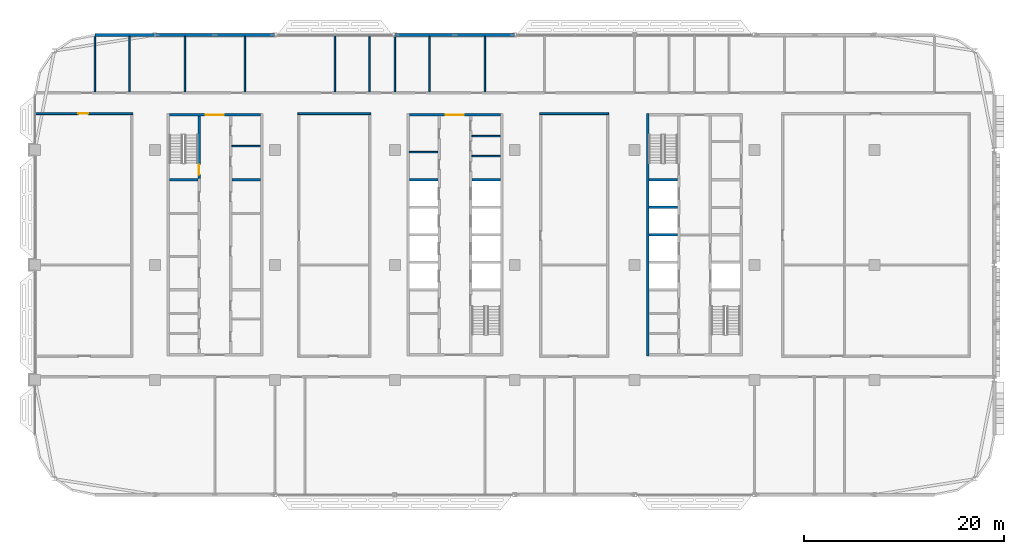
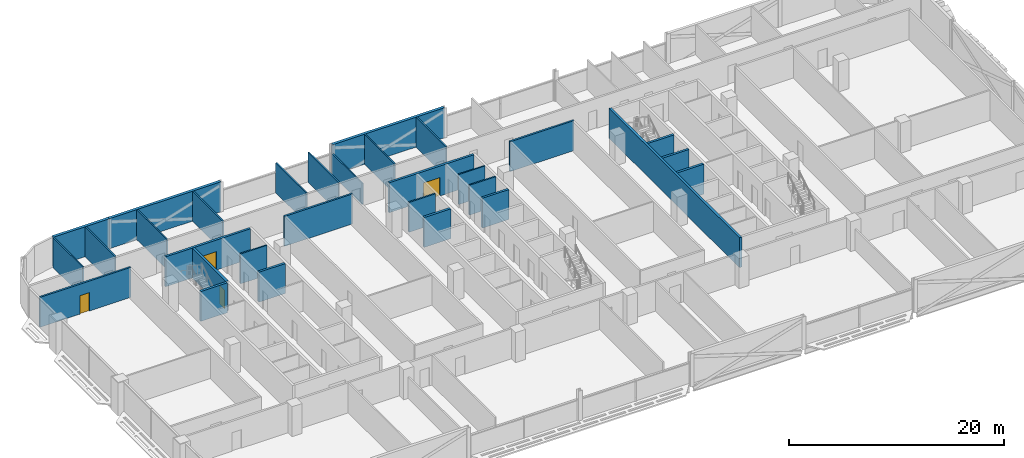
# One storey, part 15 of 30: 30 walls, 4 doors, 4 openings.
"""IFC4 building model written with IfcOpenShell, lengths in metres."""

import ifcopenshell
import ifcopenshell.guid

model = None  # the IFC model being written
_history = None  # IfcOwnerHistory: only IFC2X3 demands one
_inside = {}  # id of a spatial element -> (the spatial element, [elements in it])
_under = {}  # id of a project, library or spatial element -> (it, [spatial elements below it])
_declared = {}  # id of a project -> (the project, [libraries it declares])
_typed = {}  # id of a type object -> (the type object, [elements of that type])
_made_of = {}  # id of a material, layer set ... -> (it, [elements and type objects made of it])


def new_model(schema):
    """Start an empty IFC model of exactly this schema.

    Asked for "IFC4X3", IfcOpenShell would pick the latest addendum, in which some entities
    have other attributes; the version numbers below select the first issue.
    IFC2X3 requires an IfcOwnerHistory on every rooted entity: one is made here for all.
    """
    global model, _history
    if schema == "IFC4X3":
        model = ifcopenshell.file(schema_version=(4, 3, 0, 0))
    else:
        model = ifcopenshell.file(schema=schema)
    _inside.clear()
    _under.clear()
    _declared.clear()
    _typed.clear()
    _made_of.clear()
    _history = None
    if model.schema == "IFC2X3":
        org = make("IfcOrganization", Name="unknown")
        user = make(
            "IfcPersonAndOrganization",
            ThePerson=make("IfcPerson", FamilyName="unknown"),
            TheOrganization=org,
        )
        app = make(
            "IfcApplication",
            ApplicationDeveloper=org,
            Version="unknown",
            ApplicationFullName="unknown",
            ApplicationIdentifier="unknown",
        )
        _history = make(
            "IfcOwnerHistory",
            OwningUser=user,
            OwningApplication=app,
            ChangeAction="ADDED",
            CreationDate=0,
        )
    return model


def make(cls, **values):
    """One entity of the class cls with the attributes given. An attribute that is None is left unset."""
    return model.create_entity(
        cls, **{name: value for name, value in values.items() if value is not None}
    )


def rooted(cls, **values):
    """An entity with a GlobalId (a new one), such as an element, a storey or a relation."""
    return make(cls, GlobalId=ifcopenshell.guid.new(), OwnerHistory=_history, **values)


def si_unit(unit_type, name, prefix=None):
    """IfcSIUnit, for example si_unit("LENGTHUNIT", "METRE", prefix="MILLI")."""
    return make("IfcSIUnit", UnitType=unit_type, Prefix=prefix, Name=name)


def assignment(units):
    """IfcUnitAssignment: the units of a project."""
    return None if units is None else make("IfcUnitAssignment", Units=units)


def point(xyz):
    """IfcCartesianPoint."""
    return None if xyz is None else make("IfcCartesianPoint", Coordinates=xyz)


def direction(xyz):
    """IfcDirection."""
    return None if xyz is None else make("IfcDirection", DirectionRatios=xyz)


def frame(location, z_axis=None, x_axis=None):
    """IfcAxis2Placement3D, a coordinate frame: its origin and axes. An axis left out is left unset."""
    return make(
        "IfcAxis2Placement3D",
        Location=point(location),
        Axis=direction(z_axis),
        RefDirection=direction(x_axis),
    )


def frame_2d(location, x_axis=None):
    """IfcAxis2Placement2D, a coordinate frame in the plane: its origin and x axis."""
    return make(
        "IfcAxis2Placement2D", Location=point(location), RefDirection=direction(x_axis)
    )


def origin():
    """The frame at (0, 0, 0) with its axes left unset."""
    return frame((0.0, 0.0, 0.0))


def place(relative_to, where):
    """IfcLocalPlacement: puts the frame where relative to a parent placement (None: the world)."""
    return make(
        "IfcLocalPlacement", PlacementRelTo=relative_to, RelativePlacement=where
    )


def context(
    kind, dimensions, precision=None, world=None, true_north=None, identifier=None
):
    """IfcGeometricRepresentationContext, for example the 3D "Model" context."""
    return make(
        "IfcGeometricRepresentationContext",
        ContextIdentifier=identifier,
        ContextType=kind,
        CoordinateSpaceDimension=dimensions,
        Precision=precision,
        WorldCoordinateSystem=world,
        TrueNorth=true_north,
    )


def subcontext(parent, identifier, kind, view, scale=None):
    """IfcGeometricRepresentationSubContext, for example "Body" below "Model"."""
    return make(
        "IfcGeometricRepresentationSubContext",
        ContextIdentifier=identifier,
        ContextType=kind,
        ParentContext=parent,
        TargetScale=scale,
        TargetView=view,
    )


def project(units=None, contexts=None):
    """IfcProject with its units and contexts."""
    return rooted(
        "IfcProject",
        Name="project",
        RepresentationContexts=contexts,
        UnitsInContext=assignment(units),
    )


def spatial(cls, under=None, at=None, **own):
    """A site, building, storey or space (cls), placed at a placement, below another one or the project."""
    s = rooted(cls, ObjectPlacement=at, **own)
    if under is not None:
        _under.setdefault(under.id(), (under, []))[1].append(s)
    return s


def profile(cls, at=None, kind="AREA", **sizes):
    """A parametric profile (cls). Its sizes go by their IFC names, for example OverallWidth=200.0."""
    return make(cls, ProfileType=kind, Position=at, **sizes)


def rectangle(**sizes):
    """IfcRectangleProfileDef."""
    return profile("IfcRectangleProfileDef", **sizes)


def extrude(swept, where, along, depth):
    """IfcExtrudedAreaSolid: the profile swept, set in the frame where, extruded along a direction by depth."""
    return make(
        "IfcExtrudedAreaSolid",
        SweptArea=swept,
        Position=where,
        ExtrudedDirection=direction(along),
        Depth=depth,
    )


def shape(context_of_items, identifier, shape_type, items):
    """IfcShapeRepresentation: the items that make up one representation, for example the "Body"."""
    return make(
        "IfcShapeRepresentation",
        ContextOfItems=context_of_items,
        RepresentationIdentifier=identifier,
        RepresentationType=shape_type,
        Items=items,
    )


def material(Name=None, Category=None):
    """IfcMaterial."""
    return make("IfcMaterial", Name=Name, Category=Category)


def layer(
    of_material, thickness, ventilated=None, Name=None, Category=None, Priority=None
):
    """IfcMaterialLayer: one layer of a wall or slab, of a material (None: an air gap)."""
    return make(
        "IfcMaterialLayer",
        Material=of_material,
        LayerThickness=thickness,
        IsVentilated=ventilated,
        Name=Name,
        Category=Category,
        Priority=Priority,
    )


def layer_set(layers, Name=None):
    """IfcMaterialLayerSet."""
    return make("IfcMaterialLayerSet", MaterialLayers=layers, LayerSetName=Name)


def made_of(thing, what):
    """Note that an element or type object is made of a material, layer set ...; save() writes the relation."""
    if what is not None:
        _made_of.setdefault(what.id(), (what, []))[1].append(thing)
    return thing


def type_object(cls, material=None, **own):
    """A type object (cls), such as IfcWallType, which elements share."""
    return made_of(rooted(cls, **own), material)


def element(
    cls,
    number,
    at=None,
    inside=None,
    cuts=None,
    type_object=None,
    material=None,
    context=None,
    identifier="Body",
    shape_type=None,
    held_by="IfcProductDefinitionShape",
    body=None,
    shapes=None,
    **own,
):
    """One element of the class cls, such as IfcWall. Its Tag is "e" and its number.

    at: its placement. inside: the storey or other place that contains it. cuts: it is an
    opening in that element (IfcRelVoidsElement). A single representation is given by context,
    identifier, shape_type and body (its items); several are given by shapes. held_by: the class
    of the entity that holds the representations. save() writes the other relations.
    """
    e = rooted(cls, Tag="e%d" % number, ObjectPlacement=at, **own)
    if body is not None:
        shapes = [shape(context, identifier, shape_type, body)]
    if shapes is not None:
        e.Representation = make(held_by, Representations=shapes)
    if inside is not None:
        _inside.setdefault(inside.id(), (inside, []))[1].append(e)
    if cuts is not None:
        rooted(
            "IfcRelVoidsElement", RelatingBuildingElement=cuts, RelatedOpeningElement=e
        )
    if type_object is not None:
        _typed.setdefault(type_object.id(), (type_object, []))[1].append(e)
    return made_of(e, material)


def fill(opening, filler):
    """IfcRelFillsElement: the door or window that sits in an opening."""
    return rooted(
        "IfcRelFillsElement",
        RelatingOpeningElement=opening,
        RelatedBuildingElement=filler,
    )


def aggregate(whole, parts):
    """IfcRelAggregates: a whole, such as a stair, and the parts it consists of."""
    return rooted("IfcRelAggregates", RelatingObject=whole, RelatedObjects=parts)


def save(model, path):
    """Write the relations noted so far, then the file.

    IfcRelAggregates (storeys below a building ...), IfcRelContainedInSpatialStructure (elements
    in a storey), IfcRelDefinesByType, IfcRelAssociatesMaterial and IfcRelDeclares: one each for
    every whole, place, type object, material and project.
    """
    for whole, parts in _under.values():
        aggregate(whole, parts)
    for where, things in _inside.values():
        rooted(
            "IfcRelContainedInSpatialStructure",
            RelatedElements=things,
            RelatingStructure=where,
        )
    for kind, things in _typed.values():
        rooted("IfcRelDefinesByType", RelatedObjects=things, RelatingType=kind)
    for what, things in _made_of.values():
        rooted("IfcRelAssociatesMaterial", RelatedObjects=things, RelatingMaterial=what)
    for by, libraries in _declared.values():
        rooted("IfcRelDeclares", RelatingContext=by, RelatedDefinitions=libraries)
    model.write(path)


model = new_model("IFC4")

# Units and contexts
model_context = context("Model", 3, precision=1e-05, world=origin(), true_north=direction((0.0, 1.0)))
body_context = subcontext(model_context, "Body", "Model", "MODEL_VIEW")
ifc_project = project(units=[si_unit("LENGTHUNIT", "METRE"), si_unit("AREAUNIT", "SQUARE_METRE"), si_unit("VOLUMEUNIT", "CUBIC_METRE"), si_unit("PLANEANGLEUNIT", "RADIAN"), si_unit("MASSUNIT", "GRAM", prefix="KILO")], contexts=[model_context])

# Site, building, storey
site_placement = place(None, origin())
site = spatial("IfcSite", under=ifc_project, at=site_placement, CompositionType="ELEMENT")
building_placement = place(site_placement, origin())
building = spatial("IfcBuilding", under=site, at=building_placement, Name="Mahtab Terrace Research Tower", CompositionType="ELEMENT")
storey_placement = place(building_placement, frame((0.0, 0.0, 220.5)))
storey = spatial("IfcBuildingStorey", under=building, at=storey_placement, Name="L53", CompositionType="ELEMENT", Elevation=220.5)

# Walls
ifc_material_1 = material(Name="Gypsum board partition")
ifc_layer_1 = layer(ifc_material_1, 0.14990234375)
ifc_layer_set_1 = layer_set([ifc_layer_1], Name="Core partition 150")
wall_type_1 = type_object("IfcWallType", Name="Core partition 150", PredefinedType="PARTITIONING", material=ifc_layer_set_1)
for number, where, z_axis, x_axis, name in (
    (1, (-22.300048828125, 11.875, 0.0), (0.0, 0.0, 1.0), (1.0, 0.0, 0.0), "Core wall A pEN888"),
    (2, (-4.550048828125, 11.27490234375, 0.0), (0.0, 0.0, 1.0), (1.0, 0.0, 0.0), "Core wall B pWN828"),
    (3, (1.699951171875, 10.875, 0.0), (0.0, 0.0, 1.0), (1.0, 0.0, 0.0), "Core wall B pEN788"),
    (4, (1.699951171875, 12.875, 0.0), (0.0, 0.0, 1.0), (1.0, 0.0, 0.0), "Core wall B pEN988"),
):
    element("IfcWall", number, at=place(storey_placement, frame(where, z_axis=z_axis, x_axis=x_axis)), inside=storey, type_object=wall_type_1, Name=name, PredefinedType="PARTITIONING", context=body_context, shape_type="SweptSolid", body=[
        extrude(rectangle(XDim=2.85009765625, YDim=0.14990234375, at=frame_2d((1.425048828125, 0.0))), origin(), (0.0, 0.0, 1.0), 3.39990234375),
    ])

# Wall, opening, door
ifc_material_2 = material(Name="Concrete C70/85", Category="concrete")
ifc_layer_2 = layer(ifc_material_2, 0.25)
ifc_layer_set_2 = layer_set([ifc_layer_2], Name="Core wall 250")
wall_type_2 = type_object("IfcWallType", Name="Core wall 250", PredefinedType="SOLIDWALL", material=ifc_layer_set_2)
wall_1_placement = place(storey_placement, frame((-28.550048828125, 15.0, 0.0), z_axis=(0.0, 0.0, 1.0), x_axis=(1.0, 0.0, 0.0)))
wall_1 = element("IfcWall", 5, at=wall_1_placement, inside=storey, type_object=wall_type_2, Name="Core wall A endN", PredefinedType="SOLIDWALL", context=body_context, shape_type="SweptSolid", body=[
    extrude(rectangle(XDim=9.10009765625, YDim=0.25, at=frame_2d((4.550048828125, 0.0))), origin(), (0.0, 0.0, 1.0), 3.39990234375),
])
opening_1_placement = place(wall_1_placement, frame((3.64990234375, 0.0, 0.0)))
opening_1 = element("IfcOpeningElement", 6, at=opening_1_placement, cuts=wall_1, Name="Opening A-N1", PredefinedType="OPENING", context=body_context, shape_type="SweptSolid", body=[
    extrude(rectangle(XDim=1.800048828125, YDim=2.10009765625, at=frame_2d((0.89990234375, 1.050048828125))), frame((0.0, 0.135009765625, 0.0), z_axis=(0.0, -1.0, 0.0), x_axis=(1.0, 0.0, 0.0)), (0.0, 0.0, 1.0), 0.27001953125),
])
ifc_material_3 = material(Name="Steel fire door", Category="steel")
door_type_1 = type_object("IfcDoorType", Name="Lobby double door 1800x2100 1 HR", OperationType="DOUBLE_DOOR_SINGLE_SWING", PredefinedType="DOOR", material=ifc_material_3)
door_1_placement = place(opening_1_placement, origin())
door_1 = element("IfcDoor", 7, at=door_1_placement, inside=storey, type_object=door_type_1, Name="Core entrance door A N", OperationType="DOUBLE_DOOR_SINGLE_SWING", OverallHeight=2.10009765625, OverallWidth=1.800048828125, PredefinedType="DOOR", context=body_context, shape_type="SweptSolid", body=[
    extrude(rectangle(XDim=1.800048828125, YDim=2.10009765625, at=frame_2d((0.89990234375, 1.050048828125))), frame((0.0, 0.02490234375, 0.0), z_axis=(0.0, -1.0, 0.0), x_axis=(1.0, 0.0, 0.0)), (0.0, 0.0, 1.0), 0.050048828125),
])
fill(opening_1, door_1)

wall_2_placement = place(storey_placement, frame((-25.574951171875, 14.875, 0.0), z_axis=(0.0, 0.0, 1.0), x_axis=(0.0, -1.0, 0.0)))
wall_2 = element("IfcWall", 8, at=wall_2_placement, inside=storey, type_object=wall_type_2, Name="Core wall A innerWN", PredefinedType="SOLIDWALL", context=body_context, shape_type="SweptSolid", body=[
    extrude(rectangle(XDim=6.25, YDim=0.25, at=frame_2d((3.125, 0.0))), origin(), (0.0, 0.0, 1.0), 3.39990234375),
])
opening_2_placement = place(wall_2_placement, frame((4.85009765625, 0.0, 0.0)))
opening_2 = element("IfcOpeningElement", 9, at=opening_2_placement, cuts=wall_2, Name="Opening A-ST1", PredefinedType="OPENING", context=body_context, shape_type="SweptSolid", body=[
    extrude(rectangle(XDim=1.0, YDim=2.10009765625, at=frame_2d((0.5, 1.050048828125))), frame((0.0, 0.135009765625, 0.0), z_axis=(0.0, -1.0, 0.0), x_axis=(1.0, 0.0, 0.0)), (0.0, 0.0, 1.0), 0.27001953125),
])
door_type_2 = type_object("IfcDoorType", Name="Stair door 1000x2100 1.5 HR", OperationType="NOTDEFINED", PredefinedType="DOOR", material=ifc_material_3)
door_2_placement = place(opening_2_placement, origin())
door_2 = element("IfcDoor", 10, at=door_2_placement, inside=storey, type_object=door_type_2, Name="Stair door ST1 L53", OperationType="SINGLE_SWING_LEFT", OverallHeight=2.10009765625, OverallWidth=1.0, PredefinedType="DOOR", context=body_context, shape_type="SweptSolid", body=[
    extrude(rectangle(XDim=1.0, YDim=2.10009765625, at=frame_2d((0.5, 1.050048828125))), frame((0.0, 0.02490234375, 0.0), z_axis=(0.0, -1.0, 0.0), x_axis=(1.0, 0.0, 0.0)), (0.0, 0.0, 1.0), 0.050048828125),
])
fill(opening_2, door_2)

# Walls
for number, where, z_axis, x_axis, name in (
    (11, (-28.550048828125, 8.5, 0.0), (0.0, 0.0, 1.0), (1.0, 0.0, 0.0), "Core wall A divW4"),
    (12, (-22.300048828125, 8.5, 0.0), (0.0, 0.0, 1.0), (1.0, 0.0, 0.0), "Core wall A divE4"),
):
    element("IfcWall", number, at=place(storey_placement, frame(where, z_axis=z_axis, x_axis=x_axis)), inside=storey, type_object=wall_type_2, Name=name, PredefinedType="SOLIDWALL", context=body_context, shape_type="SweptSolid", body=[
        extrude(rectangle(XDim=2.85009765625, YDim=0.25, at=frame_2d((1.425048828125, 0.0))), origin(), (0.0, 0.0, 1.0), 3.39990234375),
    ])

# Wall, opening, door
wall_3_placement = place(storey_placement, frame((-4.550048828125, 15.0, 0.0), z_axis=(0.0, 0.0, 1.0), x_axis=(1.0, 0.0, 0.0)))
wall_3 = element("IfcWall", 13, at=wall_3_placement, inside=storey, type_object=wall_type_2, Name="Core wall B endN", PredefinedType="SOLIDWALL", context=body_context, shape_type="SweptSolid", body=[
    extrude(rectangle(XDim=9.10009765625, YDim=0.25, at=frame_2d((4.550048828125, 0.0))), origin(), (0.0, 0.0, 1.0), 3.39990234375),
])
opening_3_placement = place(wall_3_placement, frame((3.64990234375, 0.0, 0.0)))
opening_3 = element("IfcOpeningElement", 14, at=opening_3_placement, cuts=wall_3, Name="Opening B-N1", PredefinedType="OPENING", context=body_context, shape_type="SweptSolid", body=[
    extrude(rectangle(XDim=1.800048828125, YDim=2.10009765625, at=frame_2d((0.89990234375, 1.050048828125))), frame((0.0, 0.135009765625, 0.0), z_axis=(0.0, -1.0, 0.0), x_axis=(1.0, 0.0, 0.0)), (0.0, 0.0, 1.0), 0.27001953125),
])
door_3_placement = place(opening_3_placement, origin())
door_3 = element("IfcDoor", 15, at=door_3_placement, inside=storey, type_object=door_type_1, Name="Core entrance door B N", OperationType="DOUBLE_DOOR_SINGLE_SWING", OverallHeight=2.10009765625, OverallWidth=1.800048828125, PredefinedType="DOOR", context=body_context, shape_type="SweptSolid", body=[
    extrude(rectangle(XDim=1.800048828125, YDim=2.10009765625, at=frame_2d((0.89990234375, 1.050048828125))), frame((0.0, 0.02490234375, 0.0), z_axis=(0.0, -1.0, 0.0), x_axis=(1.0, 0.0, 0.0)), (0.0, 0.0, 1.0), 0.050048828125),
])
fill(opening_3, door_3)

# Walls
for number, where, z_axis, x_axis, name in (
    (16, (-4.550048828125, 8.5, 0.0), (0.0, 0.0, 1.0), (1.0, 0.0, 0.0), "Core wall B divW4"),
    (17, (1.699951171875, 8.5, 0.0), (0.0, 0.0, 1.0), (1.0, 0.0, 0.0), "Core wall B divE4"),
):
    element("IfcWall", number, at=place(storey_placement, frame(where, z_axis=z_axis, x_axis=x_axis)), inside=storey, type_object=wall_type_2, Name=name, PredefinedType="SOLIDWALL", context=body_context, shape_type="SweptSolid", body=[
        extrude(rectangle(XDim=2.85009765625, YDim=0.25, at=frame_2d((1.425048828125, 0.0))), origin(), (0.0, 0.0, 1.0), 3.39990234375),
    ])
wall_4_placement = place(storey_placement, frame((19.324951171875, 15.125, 0.0), z_axis=(0.0, 0.0, 1.0), x_axis=(0.0, -1.0, 0.0)))
element("IfcWall", 18, at=wall_4_placement, inside=storey, type_object=wall_type_2, Name="Core wall C outerW", PredefinedType="SOLIDWALL", context=body_context, shape_type="SweptSolid", body=[
    extrude(rectangle(XDim=24.25, YDim=0.25, at=frame_2d((12.125, 0.0))), origin(), (0.0, 0.0, 1.0), 3.39990234375),
])
for number, where, z_axis, x_axis, name in (
    (19, (19.449951171875, 3.0, 0.0), (0.0, 0.0, 1.0), (1.0, 0.0, 0.0), "Core wall C divW2"),
    (20, (19.449951171875, 5.75, 0.0), (0.0, 0.0, 1.0), (1.0, 0.0, 0.0), "Core wall C divW3"),
    (21, (19.449951171875, 8.5, 0.0), (0.0, 0.0, 1.0), (1.0, 0.0, 0.0), "Core wall C divW4"),
):
    element("IfcWall", number, at=place(storey_placement, frame(where, z_axis=z_axis, x_axis=x_axis)), inside=storey, type_object=wall_type_2, Name=name, PredefinedType="SOLIDWALL", context=body_context, shape_type="SweptSolid", body=[
        extrude(rectangle(XDim=2.85009765625, YDim=0.25, at=frame_2d((1.425048828125, 0.0))), origin(), (0.0, 0.0, 1.0), 3.39990234375),
    ])
ifc_material_4 = material(Name="Black aluminium cladding panel", Category="aluminium")
ifc_layer_3 = layer(ifc_material_4, 0.300048828125)
ifc_layer_set_3 = layer_set([ifc_layer_3], Name="Opaque facade wall 300")
wall_type_3 = type_object("IfcWallType", Name="Opaque facade wall 300", PredefinedType="NOTDEFINED", material=ifc_layer_set_3)
for number, where, z_axis, x_axis, name in (
    (22, (5.987548828125, 23.0, 0.0), (0.0, 0.0, 1.0), (-1.0, 0.0, 0.0), "Opaque facade wall L53 N7"),
    (23, (-18.012451171875, 23.0, 0.0), (0.0, 0.0, 1.0), (-1.0, 0.0, 0.0), "Opaque facade wall L53 N9"),
):
    element("IfcWall", number, at=place(storey_placement, frame(where, z_axis=z_axis, x_axis=x_axis)), inside=storey, type_object=wall_type_3, Name=name, PredefinedType="NOTDEFINED", context=body_context, shape_type="SweptSolid", body=[
        extrude(rectangle(XDim=11.97509765625, YDim=0.300048828125, at=frame_2d((5.987548828125, 0.0))), origin(), (0.0, 0.0, 1.0), 3.39990234375),
    ])
wall_5_placement = place(storey_placement, frame((-30.012451171875, 23.0, 0.0), z_axis=(0.0, 0.0, 1.0), x_axis=(-1.0, 0.0, 0.0)))
element("IfcWall", 24, at=wall_5_placement, inside=storey, type_object=wall_type_3, Name="Opaque facade wall L53 N10", PredefinedType="NOTDEFINED", context=body_context, shape_type="SweptSolid", body=[
    extrude(rectangle(XDim=5.987548828125, YDim=0.300048828125, at=frame_2d((2.99365234375, 0.0))), origin(), (0.0, 0.0, 1.0), 3.39990234375),
])

# Wall, opening, door
ifc_material_5 = material(Name="Gypsum board corridor wall on steel studs", Category="steel")
ifc_layer_4 = layer(ifc_material_5, 0.199951171875)
ifc_layer_set_4 = layer_set([ifc_layer_4], Name="WALL CORRIDOR 200")
wall_type_4 = type_object("IfcWallType", Name="WALL CORRIDOR 200", PredefinedType="PARTITIONING", material=ifc_layer_set_4)
wall_6_placement = place(storey_placement, frame((-41.97509765625, 15.125, 0.0), z_axis=(0.0, 0.0, 1.0), x_axis=(1.0, 0.0, 0.0)))
wall_6 = element("IfcWall", 25, at=wall_6_placement, inside=storey, type_object=wall_type_4, Name="L53-W018", PredefinedType="PARTITIONING", context=body_context, shape_type="SweptSolid", body=[
    extrude(rectangle(XDim=9.775146484375, YDim=0.199951171875, at=frame_2d((4.8876953125, 0.0))), origin(), (0.0, 0.0, 1.0), 3.39990234375),
])
opening_4_placement = place(wall_6_placement, frame((4.300048828125, 0.0, 0.0)))
opening_4 = element("IfcOpeningElement", 26, at=opening_4_placement, cuts=wall_6, Name="Opening L53-116", PredefinedType="OPENING", context=body_context, shape_type="SweptSolid", body=[
    extrude(rectangle(XDim=1.0, YDim=2.10009765625, at=frame_2d((0.5, 1.050048828125))), frame((0.0, 0.10986328125, 0.0), z_axis=(0.0, -1.0, 0.0), x_axis=(1.0, 0.0, 0.0)), (0.0, 0.0, 1.0), 0.219970703125),
])
ifc_material_6 = material(Name="Timber door leaf in steel frame", Category="steel")
door_type_3 = type_object("IfcDoorType", Name="DOOR 1000X2100 FD30S", OperationType="SINGLE_SWING_LEFT", PredefinedType="DOOR", material=ifc_material_6)
door_4_placement = place(opening_4_placement, origin())
door_4 = element("IfcDoor", 27, at=door_4_placement, inside=storey, type_object=door_type_3, Name="Door L53-116", OperationType="SINGLE_SWING_RIGHT", OverallHeight=2.10009765625, OverallWidth=1.0, PredefinedType="DOOR", context=body_context, shape_type="SweptSolid", body=[
    extrude(rectangle(XDim=1.0, YDim=2.10009765625, at=frame_2d((0.5, 1.050048828125))), frame((0.0, 0.02490234375, 0.0), z_axis=(0.0, -1.0, 0.0), x_axis=(1.0, 0.0, 0.0)), (0.0, 0.0, 1.0), 0.050048828125),
])
fill(opening_4, door_4)

# Walls
wall_7_placement = place(storey_placement, frame((-15.699951171875, 15.125, 0.0), z_axis=(0.0, 0.0, 1.0), x_axis=(1.0, 0.0, 0.0)))
element("IfcWall", 28, at=wall_7_placement, inside=storey, type_object=wall_type_4, Name="L53-W019", PredefinedType="PARTITIONING", context=body_context, shape_type="SweptSolid", body=[
    extrude(rectangle(XDim=7.300048828125, YDim=0.199951171875, at=frame_2d((3.64990234375, 0.0))), origin(), (0.0, 0.0, 1.0), 3.39990234375),
])
wall_8_placement = place(storey_placement, frame((8.5, 15.125, 0.0), z_axis=(0.0, 0.0, 1.0), x_axis=(1.0, 0.0, 0.0)))
element("IfcWall", 29, at=wall_8_placement, inside=storey, type_object=wall_type_4, Name="L53-W020", PredefinedType="PARTITIONING", context=body_context, shape_type="SweptSolid", body=[
    extrude(rectangle(XDim=6.89990234375, YDim=0.199951171875, at=frame_2d((3.449951171875, 0.0))), origin(), (0.0, 0.0, 1.0), 3.39990234375),
])
ifc_material_7 = material(Name="Gypsum board partition on steel studs", Category="steel")
ifc_layer_5 = layer(ifc_material_7, 0.14990234375)
ifc_layer_set_5 = layer_set([ifc_layer_5], Name="WALL PARTITION 150")
wall_type_5 = type_object("IfcWallType", Name="WALL PARTITION 150", PredefinedType="PARTITIONING", material=ifc_layer_set_5)
wall_9_placement = place(storey_placement, frame((-36.0, 17.300048828125, 0.0), z_axis=(0.0, 0.0, 1.0), x_axis=(0.0, 1.0, 0.0)))
element("IfcWall", 30, at=wall_9_placement, inside=storey, type_object=wall_type_5, Name="L53-W023", PredefinedType="PARTITIONING", context=body_context, shape_type="SweptSolid", body=[
    extrude(rectangle(XDim=5.547119140625, YDim=0.14990234375, at=frame_2d((2.7734375, 0.0))), origin(), (0.0, 0.0, 1.0), 3.39990234375),
])
for number, where, z_axis, x_axis, name in (
    (31, (-32.550048828125, 17.300048828125, 0.0), (0.0, 0.0, 1.0), (0.0, 1.0, 0.0), "L53-W024"),
    (32, (-27.0, 17.300048828125, 0.0), (0.0, 0.0, 1.0), (0.0, 1.0, 0.0), "L53-W026"),
    (33, (-21.0, 17.300048828125, 0.0), (0.0, 0.0, 1.0), (0.0, 1.0, 0.0), "L53-W028"),
):
    element("IfcWall", number, at=place(storey_placement, frame(where, z_axis=z_axis, x_axis=x_axis)), inside=storey, type_object=wall_type_5, Name=name, PredefinedType="PARTITIONING", context=body_context, shape_type="SweptSolid", body=[
        extrude(rectangle(XDim=5.550048828125, YDim=0.14990234375, at=frame_2d((2.77490234375, 0.0))), origin(), (0.0, 0.0, 1.0), 3.39990234375),
    ])
for number, where, z_axis, x_axis, name in (
    (34, (-12.0, 17.300048828125, 0.0), (0.0, 0.0, 1.0), (0.0, 1.0, 0.0), "L53-W032"),
    (35, (-8.550048828125, 17.300048828125, 0.0), (0.0, 0.0, 1.0), (0.0, 1.0, 0.0), "L53-W033"),
):
    element("IfcWall", number, at=place(storey_placement, frame(where, z_axis=z_axis, x_axis=x_axis)), inside=storey, type_object=wall_type_5, Name=name, PredefinedType="PARTITIONING", context=body_context, shape_type="SweptSolid", body=[
        extrude(rectangle(XDim=5.675048828125, YDim=0.14990234375, at=frame_2d((2.83740234375, 0.0))), origin(), (0.0, 0.0, 1.0), 3.39990234375),
    ])
wall_10_placement = place(storey_placement, frame((-6.0, 17.300048828125, 0.0), z_axis=(0.0, 0.0, 1.0), x_axis=(0.0, 1.0, 0.0)))
element("IfcWall", 36, at=wall_10_placement, inside=storey, type_object=wall_type_5, Name="L53-W035", PredefinedType="PARTITIONING", context=body_context, shape_type="SweptSolid", body=[
    extrude(rectangle(XDim=5.675048828125, YDim=0.14990234375, at=frame_2d((2.83740234375, 0.0))), origin(), (0.0, 0.0, 1.0), 2.401123046875),
])
for number, where, z_axis, x_axis, name in (
    (37, (-2.550048828125, 17.300048828125, 0.0), (0.0, 0.0, 1.0), (0.0, 1.0, 0.0), "L53-W036"),
    (38, (3.0, 17.300048828125, 0.0), (0.0, 0.0, 1.0), (0.0, 1.0, 0.0), "L53-W038"),
):
    element("IfcWall", number, at=place(storey_placement, frame(where, z_axis=z_axis, x_axis=x_axis)), inside=storey, type_object=wall_type_5, Name=name, PredefinedType="PARTITIONING", context=body_context, shape_type="SweptSolid", body=[
        extrude(rectangle(XDim=5.550048828125, YDim=0.14990234375, at=frame_2d((2.77490234375, 0.0))), origin(), (0.0, 0.0, 1.0), 3.39990234375),
    ])

save(model, "model.ifc")
